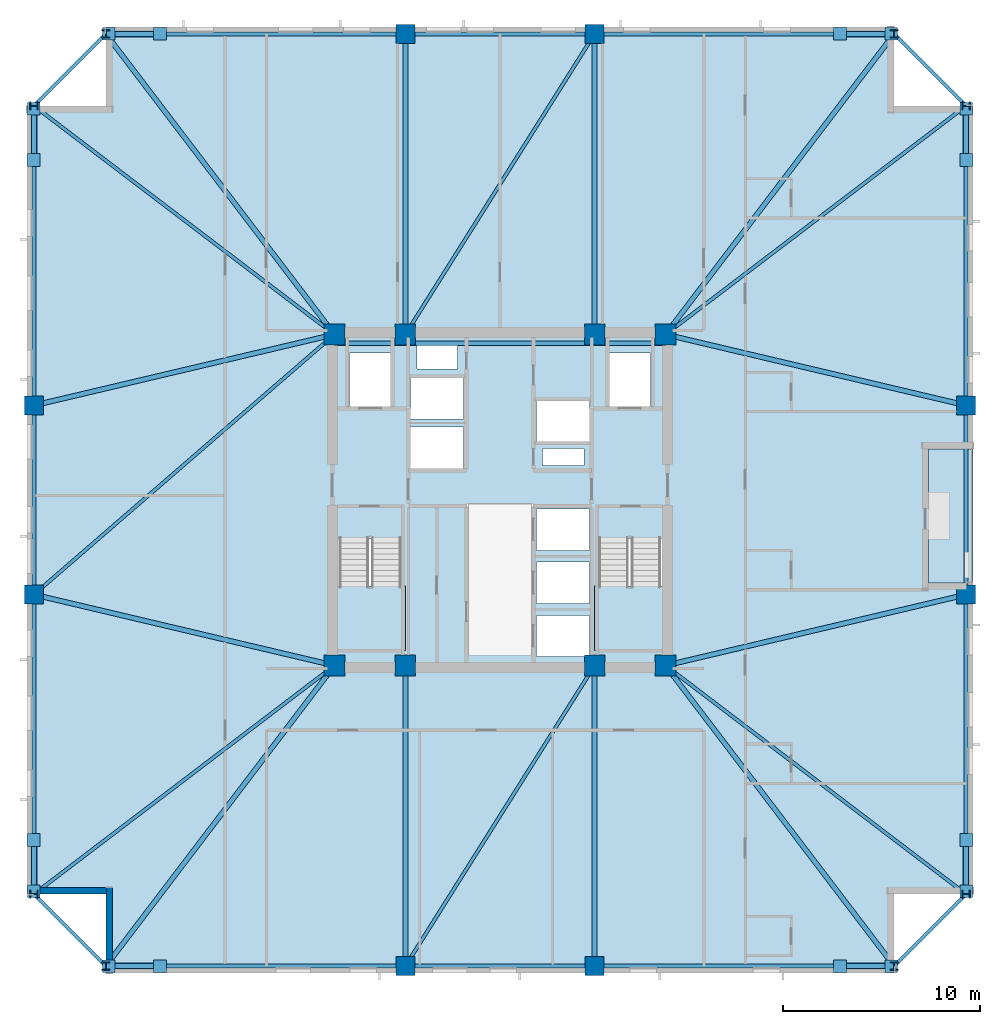
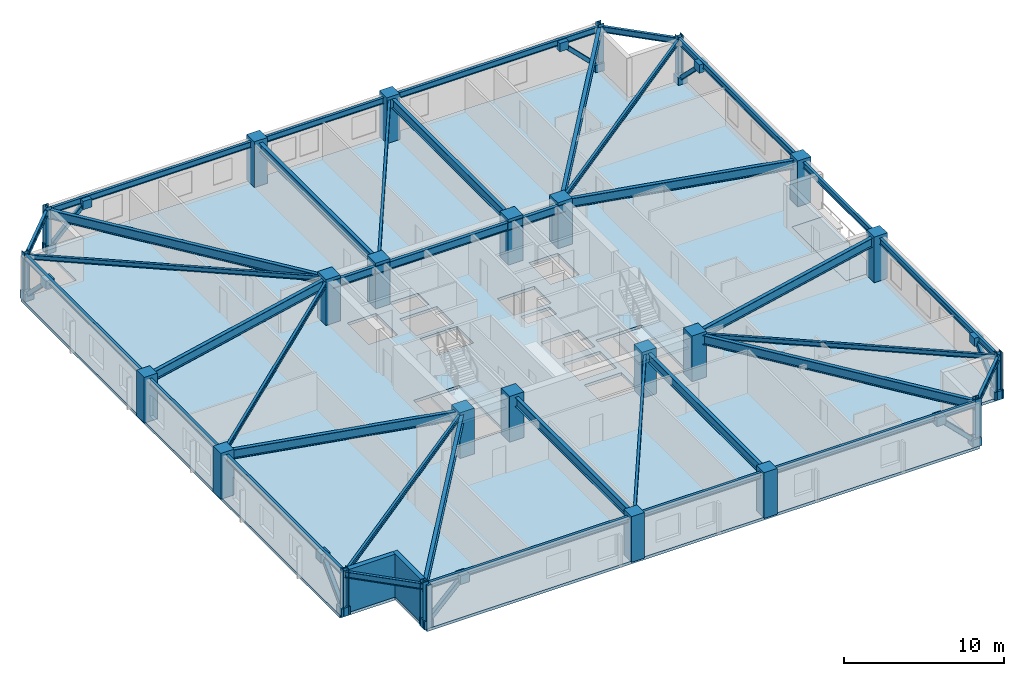
# One storey, part 1 of 10: 38 beams, 24 columns, 16 plates, 8 members, 4 slabs, 2 walls, 2 elements without a shape of their own.
"""IFC4 building model written with IfcOpenShell, lengths in metres."""

import ifcopenshell
import ifcopenshell.guid

model = None  # the IFC model being written
_history = None  # IfcOwnerHistory: only IFC2X3 demands one
_inside = {}  # id of a spatial element -> (the spatial element, [elements in it])
_under = {}  # id of a project, library or spatial element -> (it, [spatial elements below it])
_declared = {}  # id of a project -> (the project, [libraries it declares])
_typed = {}  # id of a type object -> (the type object, [elements of that type])
_made_of = {}  # id of a material, layer set ... -> (it, [elements and type objects made of it])


def new_model(schema):
    """Start an empty IFC model of exactly this schema.

    Asked for "IFC4X3", IfcOpenShell would pick the latest addendum, in which some entities
    have other attributes; the version numbers below select the first issue.
    IFC2X3 requires an IfcOwnerHistory on every rooted entity: one is made here for all.
    """
    global model, _history
    if schema == "IFC4X3":
        model = ifcopenshell.file(schema_version=(4, 3, 0, 0))
    else:
        model = ifcopenshell.file(schema=schema)
    _inside.clear()
    _under.clear()
    _declared.clear()
    _typed.clear()
    _made_of.clear()
    _history = None
    if model.schema == "IFC2X3":
        org = make("IfcOrganization", Name="unknown")
        user = make(
            "IfcPersonAndOrganization",
            ThePerson=make("IfcPerson", FamilyName="unknown"),
            TheOrganization=org,
        )
        app = make(
            "IfcApplication",
            ApplicationDeveloper=org,
            Version="unknown",
            ApplicationFullName="unknown",
            ApplicationIdentifier="unknown",
        )
        _history = make(
            "IfcOwnerHistory",
            OwningUser=user,
            OwningApplication=app,
            ChangeAction="ADDED",
            CreationDate=0,
        )
    return model


def make(cls, **values):
    """One entity of the class cls with the attributes given. An attribute that is None is left unset."""
    return model.create_entity(
        cls, **{name: value for name, value in values.items() if value is not None}
    )


def rooted(cls, **values):
    """An entity with a GlobalId (a new one), such as an element, a storey or a relation."""
    return make(cls, GlobalId=ifcopenshell.guid.new(), OwnerHistory=_history, **values)


def si_unit(unit_type, name, prefix=None):
    """IfcSIUnit, for example si_unit("LENGTHUNIT", "METRE", prefix="MILLI")."""
    return make("IfcSIUnit", UnitType=unit_type, Prefix=prefix, Name=name)


def assignment(units):
    """IfcUnitAssignment: the units of a project."""
    return None if units is None else make("IfcUnitAssignment", Units=units)


def point(xyz):
    """IfcCartesianPoint."""
    return None if xyz is None else make("IfcCartesianPoint", Coordinates=xyz)


def direction(xyz):
    """IfcDirection."""
    return None if xyz is None else make("IfcDirection", DirectionRatios=xyz)


def frame(location, z_axis=None, x_axis=None):
    """IfcAxis2Placement3D, a coordinate frame: its origin and axes. An axis left out is left unset."""
    return make(
        "IfcAxis2Placement3D",
        Location=point(location),
        Axis=direction(z_axis),
        RefDirection=direction(x_axis),
    )


def frame_2d(location, x_axis=None):
    """IfcAxis2Placement2D, a coordinate frame in the plane: its origin and x axis."""
    return make(
        "IfcAxis2Placement2D", Location=point(location), RefDirection=direction(x_axis)
    )


def origin():
    """The frame at (0, 0, 0) with its axes left unset."""
    return frame((0.0, 0.0, 0.0))


def origin_2d():
    """The frame at (0, 0) in the plane with its x axis left unset."""
    return frame_2d((0.0, 0.0))


def place(relative_to, where):
    """IfcLocalPlacement: puts the frame where relative to a parent placement (None: the world)."""
    return make(
        "IfcLocalPlacement", PlacementRelTo=relative_to, RelativePlacement=where
    )


def context(
    kind, dimensions, precision=None, world=None, true_north=None, identifier=None
):
    """IfcGeometricRepresentationContext, for example the 3D "Model" context."""
    return make(
        "IfcGeometricRepresentationContext",
        ContextIdentifier=identifier,
        ContextType=kind,
        CoordinateSpaceDimension=dimensions,
        Precision=precision,
        WorldCoordinateSystem=world,
        TrueNorth=true_north,
    )


def subcontext(parent, identifier, kind, view, scale=None):
    """IfcGeometricRepresentationSubContext, for example "Body" below "Model"."""
    return make(
        "IfcGeometricRepresentationSubContext",
        ContextIdentifier=identifier,
        ContextType=kind,
        ParentContext=parent,
        TargetScale=scale,
        TargetView=view,
    )


def project(units=None, contexts=None):
    """IfcProject with its units and contexts."""
    return rooted(
        "IfcProject",
        Name="project",
        RepresentationContexts=contexts,
        UnitsInContext=assignment(units),
    )


def spatial(cls, under=None, at=None, **own):
    """A site, building, storey or space (cls), placed at a placement, below another one or the project."""
    s = rooted(cls, ObjectPlacement=at, **own)
    if under is not None:
        _under.setdefault(under.id(), (under, []))[1].append(s)
    return s


def polyline(points):
    """IfcPolyline through the points."""
    return make("IfcPolyline", Points=[point(p) for p in points])


def profile(cls, at=None, kind="AREA", **sizes):
    """A parametric profile (cls). Its sizes go by their IFC names, for example OverallWidth=200.0."""
    return make(cls, ProfileType=kind, Position=at, **sizes)


def rectangle(**sizes):
    """IfcRectangleProfileDef."""
    return profile("IfcRectangleProfileDef", **sizes)


def hollow_rectangle(**sizes):
    """IfcRectangleHollowProfileDef."""
    return profile("IfcRectangleHollowProfileDef", **sizes)


def i_section(**sizes):
    """IfcIShapeProfileDef."""
    return profile("IfcIShapeProfileDef", **sizes)


def outline(outer, holes=None, kind="AREA"):
    """IfcArbitraryClosedProfileDef: a profile drawn as a closed curve; with holes, ...WithVoids."""
    if holes is None:
        return make("IfcArbitraryClosedProfileDef", ProfileType=kind, OuterCurve=outer)
    return make(
        "IfcArbitraryProfileDefWithVoids",
        ProfileType=kind,
        OuterCurve=outer,
        InnerCurves=holes,
    )


def extrude(swept, where, along, depth):
    """IfcExtrudedAreaSolid: the profile swept, set in the frame where, extruded along a direction by depth."""
    return make(
        "IfcExtrudedAreaSolid",
        SweptArea=swept,
        Position=where,
        ExtrudedDirection=direction(along),
        Depth=depth,
    )


def shape(context_of_items, identifier, shape_type, items):
    """IfcShapeRepresentation: the items that make up one representation, for example the "Body"."""
    return make(
        "IfcShapeRepresentation",
        ContextOfItems=context_of_items,
        RepresentationIdentifier=identifier,
        RepresentationType=shape_type,
        Items=items,
    )


def material(Name=None, Category=None):
    """IfcMaterial."""
    return make("IfcMaterial", Name=Name, Category=Category)


def layer(
    of_material, thickness, ventilated=None, Name=None, Category=None, Priority=None
):
    """IfcMaterialLayer: one layer of a wall or slab, of a material (None: an air gap)."""
    return make(
        "IfcMaterialLayer",
        Material=of_material,
        LayerThickness=thickness,
        IsVentilated=ventilated,
        Name=Name,
        Category=Category,
        Priority=Priority,
    )


def layer_set(layers, Name=None):
    """IfcMaterialLayerSet."""
    return make("IfcMaterialLayerSet", MaterialLayers=layers, LayerSetName=Name)


def material_profile(
    of_material, cross_section, Name=None, Category=None, Priority=None
):
    """IfcMaterialProfile: a cross section and its material."""
    return make(
        "IfcMaterialProfile",
        Name=Name,
        Material=of_material,
        Profile=cross_section,
        Priority=Priority,
        Category=Category,
    )


def profile_set(profiles, Name=None, composite=None):
    """IfcMaterialProfileSet."""
    return make(
        "IfcMaterialProfileSet",
        Name=Name,
        MaterialProfiles=profiles,
        CompositeProfile=composite,
    )


def made_of(thing, what):
    """Note that an element or type object is made of a material, layer set ...; save() writes the relation."""
    if what is not None:
        _made_of.setdefault(what.id(), (what, []))[1].append(thing)
    return thing


def type_object(cls, material=None, **own):
    """A type object (cls), such as IfcWallType, which elements share."""
    return made_of(rooted(cls, **own), material)


def element(
    cls,
    number,
    at=None,
    inside=None,
    cuts=None,
    type_object=None,
    material=None,
    context=None,
    identifier="Body",
    shape_type=None,
    held_by="IfcProductDefinitionShape",
    body=None,
    shapes=None,
    **own,
):
    """One element of the class cls, such as IfcWall. Its Tag is "e" and its number.

    at: its placement. inside: the storey or other place that contains it. cuts: it is an
    opening in that element (IfcRelVoidsElement). A single representation is given by context,
    identifier, shape_type and body (its items); several are given by shapes. held_by: the class
    of the entity that holds the representations. save() writes the other relations.
    """
    e = rooted(cls, Tag="e%d" % number, ObjectPlacement=at, **own)
    if body is not None:
        shapes = [shape(context, identifier, shape_type, body)]
    if shapes is not None:
        e.Representation = make(held_by, Representations=shapes)
    if inside is not None:
        _inside.setdefault(inside.id(), (inside, []))[1].append(e)
    if cuts is not None:
        rooted(
            "IfcRelVoidsElement", RelatingBuildingElement=cuts, RelatedOpeningElement=e
        )
    if type_object is not None:
        _typed.setdefault(type_object.id(), (type_object, []))[1].append(e)
    return made_of(e, material)


def aggregate(whole, parts):
    """IfcRelAggregates: a whole, such as a stair, and the parts it consists of."""
    return rooted("IfcRelAggregates", RelatingObject=whole, RelatedObjects=parts)


def save(model, path):
    """Write the relations noted so far, then the file.

    IfcRelAggregates (storeys below a building ...), IfcRelContainedInSpatialStructure (elements
    in a storey), IfcRelDefinesByType, IfcRelAssociatesMaterial and IfcRelDeclares: one each for
    every whole, place, type object, material and project.
    """
    for whole, parts in _under.values():
        aggregate(whole, parts)
    for where, things in _inside.values():
        rooted(
            "IfcRelContainedInSpatialStructure",
            RelatedElements=things,
            RelatingStructure=where,
        )
    for kind, things in _typed.values():
        rooted("IfcRelDefinesByType", RelatedObjects=things, RelatingType=kind)
    for what, things in _made_of.values():
        rooted("IfcRelAssociatesMaterial", RelatedObjects=things, RelatingMaterial=what)
    for by, libraries in _declared.values():
        rooted("IfcRelDeclares", RelatingContext=by, RelatedDefinitions=libraries)
    model.write(path)


model = new_model("IFC4")

# Units and contexts
model_context = context("Model", 3, precision=1e-05, world=origin(), true_north=direction((0.0, 1.0)))
body_context = subcontext(model_context, "Body", "Model", "MODEL_VIEW")
ifc_project = project(units=[si_unit("LENGTHUNIT", "METRE"), si_unit("AREAUNIT", "SQUARE_METRE"), si_unit("VOLUMEUNIT", "CUBIC_METRE"), si_unit("PLANEANGLEUNIT", "RADIAN"), si_unit("MASSUNIT", "GRAM", prefix="KILO")], contexts=[model_context])

# Site, building, storey
site_placement = place(None, origin())
site = spatial("IfcSite", under=ifc_project, at=site_placement, CompositionType="ELEMENT")
building_placement = place(site_placement, origin())
building = spatial("IfcBuilding", under=site, at=building_placement, Name="Cairnveth Concourse Tower", CompositionType="ELEMENT")
storey_placement = place(building_placement, frame((0.0, 0.0, 183.0)))
storey = spatial("IfcBuildingStorey", under=building, at=storey_placement, Name="L50", CompositionType="ELEMENT", Elevation=183.0)

# Columns
ifc_material_1 = material(Name="Concrete N65 (65 MPa)", Category="concrete")
ifc_material_profile_1 = material_profile(ifc_material_1, rectangle(XDim=1.050048828125, YDim=1.050048828125, at=origin_2d()), Name="RC-COL-1050x1050")
ifc_profile_set_1 = profile_set([ifc_material_profile_1], Name="Concrete N65 (65 MPa)")
column_type_1 = type_object("IfcColumnType", Name="CORE COLUMN 1050X1050", PredefinedType="COLUMN", material=ifc_profile_set_1)
for number, where, z_axis, x_axis, name in (
    (1, (43.60009765625, 30.60009765625, 0.0), (0.0, 0.0, 1.0), (1.0, 0.0, 0.0), "Column CC1 L50"),
    (2, (47.199951171875, 30.60009765625, 0.0), (0.0, 0.0, 1.0), (1.0, 0.0, 0.0), "Column CC2 L50"),
    (3, (56.800048828125, 30.60009765625, 0.0), (0.0, 0.0, 1.0), (1.0, 0.0, 0.0), "Column CC3 L50"),
    (4, (60.39990234375, 30.60009765625, 0.0), (0.0, 0.0, 1.0), (1.0, 0.0, 0.0), "Column CC4 L50"),
    (5, (43.60009765625, 47.39990234375, 0.0), (0.0, 0.0, 1.0), (1.0, 0.0, 0.0), "Column CC5 L50"),
    (6, (47.199951171875, 47.39990234375, 0.0), (0.0, 0.0, 1.0), (1.0, 0.0, 0.0), "Column CC6 L50"),
    (7, (56.800048828125, 47.39990234375, 0.0), (0.0, 0.0, 1.0), (1.0, 0.0, 0.0), "Column CC7 L50"),
    (8, (60.39990234375, 47.39990234375, 0.0), (0.0, 0.0, 1.0), (1.0, 0.0, 0.0), "Column CC8 L50"),
):
    element("IfcColumn", number, at=place(storey_placement, frame(where, z_axis=z_axis, x_axis=x_axis)), inside=storey, type_object=column_type_1, Name=name, PredefinedType="COLUMN", context=body_context, shape_type="SweptSolid", body=[
        extrude(rectangle(XDim=1.050048828125, YDim=1.050048828125, at=origin_2d()), origin(), (0.0, 0.0, 1.0), 3.5),
    ])
ifc_material_profile_2 = material_profile(ifc_material_1, rectangle(XDim=0.949951171875, YDim=0.949951171875, at=origin_2d()), Name="RC-COL-950x950")
ifc_profile_set_2 = profile_set([ifc_material_profile_2], Name="Concrete N65 (65 MPa)")
column_type_2 = type_object("IfcColumnType", Name="PERIMETER PIER COLUMN 950X950", PredefinedType="COLUMN", material=ifc_profile_set_2)
for number, where, z_axis, x_axis, name in (
    (9, (47.199951171875, 15.35009765625, 0.0), (0.0, 0.0, 1.0), (1.0, 0.0, 0.0), "Column P-S2 L50"),
    (10, (56.800048828125, 15.35009765625, 0.0), (0.0, 0.0, 1.0), (1.0, 0.0, 0.0), "Column P-S3 L50"),
    (11, (75.64990234375, 34.199951171875, 0.0), (0.0, 0.0, 1.0), (0.0, 1.0, 0.0), "Column P-E2 L50"),
    (12, (75.64990234375, 43.800048828125, 0.0), (0.0, 0.0, 1.0), (0.0, 1.0, 0.0), "Column P-E3 L50"),
    (13, (56.800048828125, 62.64990234375, 0.0), (0.0, 0.0, 1.0), (1.0, 0.0, 0.0), "Column P-N2 L50"),
    (14, (47.199951171875, 62.64990234375, 0.0), (0.0, 0.0, 1.0), (1.0, 0.0, 0.0), "Column P-N3 L50"),
    (15, (28.35009765625, 43.800048828125, 0.0), (0.0, 0.0, 1.0), (0.0, 1.0, 0.0), "Column P-W2 L50"),
    (16, (28.35009765625, 34.199951171875, 0.0), (0.0, 0.0, 1.0), (0.0, 1.0, 0.0), "Column P-W3 L50"),
):
    element("IfcColumn", number, at=place(storey_placement, frame(where, z_axis=z_axis, x_axis=x_axis)), inside=storey, type_object=column_type_2, Name=name, PredefinedType="COLUMN", context=body_context, shape_type="SweptSolid", body=[
        extrude(rectangle(XDim=0.949951171875, YDim=0.949951171875, at=origin_2d()), origin(), (0.0, 0.0, 1.0), 3.5),
    ])
ifc_material_2 = material(Name="Steel Grade 350", Category="steel")
ifc_material_profile_3 = material_profile(ifc_material_2, i_section(OverallWidth=0.39990234375, OverallDepth=0.39990234375, WebThickness=0.02197265625, FlangeThickness=0.035888671875, at=origin_2d()), Name="400WC270")
ifc_profile_set_3 = profile_set([ifc_material_profile_3], Name="Steel Grade 350")
column_type_3 = type_object("IfcColumnType", Name="WELDED STEEL COLUMN 400WC270", PredefinedType="COLUMN", material=ifc_profile_set_3)
for number, where, z_axis, x_axis, name in (
    (17, (32.0, 15.35009765625, 0.0), (0.0, 0.0, 1.0), (1.0, 0.0, 0.0), "Column P-S1 L50"),
    (18, (72.0, 15.35009765625, 0.0), (0.0, 0.0, 1.0), (1.0, 0.0, 0.0), "Column P-S4 L50"),
    (19, (75.64990234375, 19.0, 0.0), (0.0, 0.0, 1.0), (0.0, 1.0, 0.0), "Column P-E1 L50"),
    (20, (75.64990234375, 59.0, 0.0), (0.0, 0.0, 1.0), (0.0, 1.0, 0.0), "Column P-E4 L50"),
    (21, (72.0, 62.64990234375, 0.0), (0.0, 0.0, 1.0), (1.0, 0.0, 0.0), "Column P-N1 L50"),
    (22, (32.0, 62.64990234375, 0.0), (0.0, 0.0, 1.0), (1.0, 0.0, 0.0), "Column P-N4 L50"),
    (23, (28.35009765625, 59.0, 0.0), (0.0, 0.0, 1.0), (0.0, 1.0, 0.0), "Column P-W1 L50"),
    (24, (28.35009765625, 19.0, 0.0), (0.0, 0.0, 1.0), (0.0, 1.0, 0.0), "Column P-W4 L50"),
):
    element("IfcColumn", number, at=place(storey_placement, frame(where, z_axis=z_axis, x_axis=x_axis)), inside=storey, type_object=column_type_3, Name=name, PredefinedType="COLUMN", context=body_context, shape_type="SweptSolid", body=[
        extrude(i_section(OverallWidth=0.39990234375, OverallDepth=0.39990234375, WebThickness=0.02197265625, FlangeThickness=0.035888671875, at=origin_2d()), origin(), (0.0, 0.0, 1.0), 3.5),
    ])

# Beams
ifc_material_profile_4 = material_profile(ifc_material_2, i_section(OverallWidth=0.22802734375, OverallDepth=0.60693359375, WebThickness=0.01123046875, FlangeThickness=0.017333984375, FilletRadius=0.013916015625, at=origin_2d()), Name="610UB113")
ifc_profile_set_4 = profile_set([ifc_material_profile_4], Name="Steel Grade 350")
beam_type_1 = type_object("IfcBeamType", Name="CORE TIE BEAM 610UB113", PredefinedType="T_BEAM", material=ifc_profile_set_4)
for number, where, z_axis, x_axis, name in (
    (25, (43.60009765625, 46.949951171875, 2.9765625), (1.0, 0.0, 0.0), (0.0, 1.0, 0.0), "Beam CT-N1 L50"),
    (26, (56.800048828125, 46.949951171875, 2.9765625), (1.0, 0.0, 0.0), (0.0, 1.0, 0.0), "Beam CT-N3 L50"),
):
    element("IfcBeam", number, at=place(storey_placement, frame(where, z_axis=z_axis, x_axis=x_axis)), inside=storey, type_object=beam_type_1, Name=name, PredefinedType="T_BEAM", context=body_context, shape_type="SweptSolid", body=[
        extrude(i_section(OverallWidth=0.22802734375, OverallDepth=0.60693359375, WebThickness=0.01123046875, FlangeThickness=0.017333984375, FilletRadius=0.013916015625, at=origin_2d()), origin(), (0.0, 0.0, 1.0), 3.599853515625),
    ])
beam_1_placement = place(storey_placement, frame((47.199951171875, 46.949951171875, 2.9765625), z_axis=(1.0, 0.0, 0.0), x_axis=(0.0, 1.0, 0.0)))
element("IfcBeam", 27, at=beam_1_placement, inside=storey, type_object=beam_type_1, Name="Beam CT-N2 L50", PredefinedType="T_BEAM", context=body_context, shape_type="SweptSolid", body=[
    extrude(i_section(OverallWidth=0.22802734375, OverallDepth=0.60693359375, WebThickness=0.01123046875, FlangeThickness=0.017333984375, FilletRadius=0.013916015625, at=origin_2d()), origin(), (0.0, 0.0, 1.0), 9.60009765625),
])
ifc_material_profile_5 = material_profile(ifc_material_2, i_section(OverallWidth=0.172119140625, OverallDepth=0.35888671875, WebThickness=0.008056640625, FlangeThickness=0.012939453125, FilletRadius=0.010986328125, at=origin_2d()), Name="360UB56.7")
ifc_profile_set_5 = profile_set([ifc_material_profile_5], Name="Steel Grade 350")
beam_type_2 = type_object("IfcBeamType", Name="ZONE 2 FLOOR JOIST 360UB56.7", PredefinedType="JOIST", material=ifc_profile_set_5)
for number, where, z_axis, x_axis, name in (
    (28, (28.35009765625, 19.0, 3.1005859375), (0.795908242904, 0.6054172684, 0.0), (-0.6054172684, 0.795908242904, 0.0), "Beam FJ-CSW2 L50"),
    (29, (75.64990234375, 19.0, 3.1005859375), (-0.795908242904, 0.6054172684, 0.0), (-0.6054172684, -0.795908242904, 0.0), "Beam FJ-CSE2 L50"),
    (30, (75.64990234375, 59.0, 3.1005859375), (-0.795908242904, -0.6054172684, 0.0), (0.6054172684, -0.795908242904, 0.0), "Beam FJ-CNE2 L50"),
    (31, (28.35009765625, 59.0, 3.1005859375), (0.795908242904, -0.6054172684, 0.0), (0.6054172684, 0.795908242904, 0.0), "Beam FJ-CNW2 L50"),
):
    element("IfcBeam", number, at=place(storey_placement, frame(where, z_axis=z_axis, x_axis=x_axis)), inside=storey, type_object=beam_type_2, Name=name, PredefinedType="JOIST", context=body_context, shape_type="SweptSolid", body=[
        extrude(i_section(OverallWidth=0.172119140625, OverallDepth=0.35888671875, WebThickness=0.008056640625, FlangeThickness=0.012939453125, FilletRadius=0.010986328125, at=origin_2d()), origin(), (0.0, 0.0, 1.0), 19.160400390625),
    ])
for number, where, z_axis, x_axis, name in (
    (32, (47.199951171875, 15.35009765625, 3.1005859375), (0.532743557037, 0.84627672923, 0.0), (-0.84627672923, 0.532743557037, 0.0), "Beam FJ-S-M1 L50"),
    (33, (47.199951171875, 47.39990234375, 3.1005859375), (0.532743557037, 0.84627672923, 0.0), (-0.84627672923, 0.532743557037, 0.0), "Beam FJ-N-M1 L50"),
):
    element("IfcBeam", number, at=place(storey_placement, frame(where, z_axis=z_axis, x_axis=x_axis)), inside=storey, type_object=beam_type_2, Name=name, PredefinedType="JOIST", context=body_context, shape_type="SweptSolid", body=[
        extrude(i_section(OverallWidth=0.172119140625, OverallDepth=0.35888671875, WebThickness=0.008056640625, FlangeThickness=0.012939453125, FilletRadius=0.010986328125, at=origin_2d()), origin(), (0.0, 0.0, 1.0), 18.02001953125),
    ])
beam_2_placement = place(storey_placement, frame((28.35009765625, 34.199951171875, 3.1005859375), z_axis=(0.756099107057, 0.654457134049, 0.0), x_axis=(-0.654457134049, 0.756099107057, 0.0)))
element("IfcBeam", 34, at=beam_2_placement, inside=storey, type_object=beam_type_2, Name="Beam FJ-W-M1 L50", PredefinedType="JOIST", context=body_context, shape_type="SweptSolid", body=[
    extrude(i_section(OverallWidth=0.172119140625, OverallDepth=0.35888671875, WebThickness=0.008056640625, FlangeThickness=0.012939453125, FilletRadius=0.010986328125, at=origin_2d()), origin(), (0.0, 0.0, 1.0), 20.16943359375),
])

# Members
ifc_material_3 = material(Name="Steel C350L0 (350 MPa)", Category="steel")
ifc_material_profile_6 = material_profile(ifc_material_3, hollow_rectangle(XDim=0.300048828125, YDim=0.300048828125, WallThickness=0.01611328125, InnerFilletRadius=0.01611328125, OuterFilletRadius=0.031982421875, at=origin_2d()), Name="300x300x16.0SHS")
ifc_profile_set_6 = profile_set([ifc_material_profile_6], Name="Steel C350L0 (350 MPa)")
member_type = type_object("IfcMemberType", Name="ZONE 2 PIER BRACE 300X300X16SHS", PredefinedType="BRACE", material=ifc_profile_set_6)
for number, where, z_axis, x_axis, name in (
    (35, (32.14990234375, 15.35009765625, 0.25), (0.709834195787, 0.0, 0.704368805735), (0.0, 1.0, 0.0), "Structural Brace PB-S1 L50"),
    (36, (71.85009765625, 15.35009765625, 0.25), (-0.709834195787, 0.0, 0.704368805735), (0.0, -1.0, 0.0), "Structural Brace PB-S2 L50"),
    (37, (32.14990234375, 62.64990234375, 0.25), (0.709834195787, 0.0, 0.704368805735), (0.0, 1.0, 0.0), "Structural Brace PB-N1 L50"),
    (38, (71.85009765625, 62.64990234375, 0.25), (-0.709834195787, 0.0, 0.704368805735), (0.0, -1.0, 0.0), "Structural Brace PB-N2 L50"),
    (39, (28.35009765625, 19.14990234375, 0.25), (0.0, 0.709834195787, 0.704368805735), (-1.0, 0.0, 0.0), "Structural Brace PB-W1 L50"),
    (40, (28.35009765625, 58.85009765625, 0.25), (0.0, -0.709834195787, 0.704368805735), (1.0, 0.0, 0.0), "Structural Brace PB-W2 L50"),
    (41, (75.64990234375, 19.14990234375, 0.25), (0.0, 0.709834195787, 0.704368805735), (-1.0, 0.0, 0.0), "Structural Brace PB-E1 L50"),
    (42, (75.64990234375, 58.85009765625, 0.25), (0.0, -0.709834195787, 0.704368805735), (1.0, 0.0, 0.0), "Structural Brace PB-E2 L50"),
):
    element("IfcMember", number, at=place(storey_placement, frame(where, z_axis=z_axis, x_axis=x_axis)), inside=storey, type_object=member_type, Name=name, PredefinedType="BRACE", context=body_context, shape_type="SweptSolid", body=[
        extrude(hollow_rectangle(XDim=0.300048828125, YDim=0.300048828125, WallThickness=0.01611328125, InnerFilletRadius=0.01611328125, OuterFilletRadius=0.031982421875, at=origin_2d()), origin(), (0.0, 0.0, 1.0), 3.6630859375),
    ])

# Beams
ifc_material_profile_7 = material_profile(ifc_material_2, i_section(OverallWidth=0.25, OverallDepth=0.699951171875, WebThickness=0.011962890625, FlangeThickness=0.028076171875, at=origin_2d()), Name="700WB173")
ifc_profile_set_7 = profile_set([ifc_material_profile_7], Name="Steel Grade 350")
beam_type_3 = type_object("IfcBeamType", Name="ZONE 2 RADIAL GIRDER 700WB173", PredefinedType="BEAM", material=ifc_profile_set_7)
for number, where, z_axis, x_axis, name in (
    (43, (47.199951171875, 15.35009765625, 2.929931640625), (0.0, 1.0, 0.0), (-1.0, 0.0, 0.0), "Beam RG-S1 L50"),
    (44, (56.800048828125, 15.35009765625, 2.929931640625), (0.0, 1.0, 0.0), (-1.0, 0.0, 0.0), "Beam RG-S2 L50"),
    (45, (47.199951171875, 47.39990234375, 2.929931640625), (0.0, 1.0, 0.0), (-1.0, 0.0, 0.0), "Beam RG-N1 L50"),
    (46, (56.800048828125, 47.39990234375, 2.929931640625), (0.0, 1.0, 0.0), (-1.0, 0.0, 0.0), "Beam RG-N2 L50"),
):
    element("IfcBeam", number, at=place(storey_placement, frame(where, z_axis=z_axis, x_axis=x_axis)), inside=storey, type_object=beam_type_3, Name=name, PredefinedType="BEAM", context=body_context, shape_type="SweptSolid", body=[
        extrude(i_section(OverallWidth=0.25, OverallDepth=0.699951171875, WebThickness=0.011962890625, FlangeThickness=0.028076171875, at=origin_2d()), origin(), (0.0, 0.0, 1.0), 15.25),
    ])
for number, where, z_axis, x_axis, name in (
    (47, (28.35009765625, 34.199951171875, 2.929931640625), (0.973251602929, -0.229741849468, 0.0), (0.229741849468, 0.973251602929, 0.0), "Beam RG-W1 L50"),
    (48, (28.35009765625, 43.800048828125, 2.929931640625), (0.973251602929, 0.229741849468, 0.0), (-0.229741849468, 0.973251602929, 0.0), "Beam RG-W2 L50"),
    (49, (60.39990234375, 30.60009765625, 2.929931640625), (0.973251602929, 0.229741849468, 0.0), (-0.229741849468, 0.973251602929, 0.0), "Beam RG-E1 L50"),
    (50, (60.39990234375, 47.39990234375, 2.929931640625), (0.973251602929, -0.229741849468, 0.0), (0.229741849468, 0.973251602929, 0.0), "Beam RG-E2 L50"),
):
    element("IfcBeam", number, at=place(storey_placement, frame(where, z_axis=z_axis, x_axis=x_axis)), inside=storey, type_object=beam_type_3, Name=name, PredefinedType="BEAM", context=body_context, shape_type="SweptSolid", body=[
        extrude(i_section(OverallWidth=0.25, OverallDepth=0.699951171875, WebThickness=0.011962890625, FlangeThickness=0.028076171875, at=origin_2d()), origin(), (0.0, 0.0, 1.0), 15.669189453125),
    ])
for number, where, z_axis, x_axis, name in (
    (51, (32.0, 15.35009765625, 2.929931640625), (0.6054172684, 0.795908242904, 0.0), (-0.795908242904, 0.6054172684, 0.0), "Beam RG-CSW L50"),
    (52, (72.0, 15.35009765625, 2.929931640625), (-0.6054172684, 0.795908242904, 0.0), (-0.795908242904, -0.6054172684, 0.0), "Beam RG-CSE L50"),
    (53, (72.0, 62.64990234375, 2.929931640625), (-0.6054172684, -0.795908242904, 0.0), (0.795908242904, -0.6054172684, 0.0), "Beam RG-CNE L50"),
    (54, (32.0, 62.64990234375, 2.929931640625), (0.6054172684, -0.795908242904, 0.0), (0.795908242904, 0.6054172684, 0.0), "Beam RG-CNW L50"),
):
    element("IfcBeam", number, at=place(storey_placement, frame(where, z_axis=z_axis, x_axis=x_axis)), inside=storey, type_object=beam_type_3, Name=name, PredefinedType="BEAM", context=body_context, shape_type="SweptSolid", body=[
        extrude(i_section(OverallWidth=0.25, OverallDepth=0.699951171875, WebThickness=0.011962890625, FlangeThickness=0.028076171875, at=origin_2d()), origin(), (0.0, 0.0, 1.0), 19.160400390625),
    ])
ifc_material_profile_8 = material_profile(ifc_material_2, i_section(OverallWidth=0.18994140625, OverallDepth=0.45703125, WebThickness=0.009033203125, FlangeThickness=0.014404296875, FilletRadius=0.010986328125, at=origin_2d()), Name="460UB74.6")
ifc_profile_set_8 = profile_set([ifc_material_profile_8], Name="Steel Grade 350")
beam_type_4 = type_object("IfcBeamType", Name="ZONE 2 SPANDREL BEAM 460UB74.6", PredefinedType="SPANDREL", material=ifc_profile_set_8)
beam_3_placement = place(storey_placement, frame((32.0, 15.35009765625, 3.051513671875), z_axis=(1.0, 0.0, 0.0), x_axis=(0.0, 1.0, 0.0)))
element("IfcBeam", 55, at=beam_3_placement, inside=storey, type_object=beam_type_4, Name="Beam SP-S1 L50", PredefinedType="SPANDREL", context=body_context, shape_type="SweptSolid", body=[
    extrude(i_section(OverallWidth=0.18994140625, OverallDepth=0.45703125, WebThickness=0.009033203125, FlangeThickness=0.014404296875, FilletRadius=0.010986328125, at=origin_2d()), origin(), (0.0, 0.0, 1.0), 15.199951171875),
])
beam_4_placement = place(storey_placement, frame((47.199951171875, 15.35009765625, 3.051513671875), z_axis=(1.0, 0.0, 0.0), x_axis=(0.0, 1.0, 0.0)))
element("IfcBeam", 56, at=beam_4_placement, inside=storey, type_object=beam_type_4, Name="Beam SP-S2 L50", PredefinedType="SPANDREL", context=body_context, shape_type="SweptSolid", body=[
    extrude(i_section(OverallWidth=0.18994140625, OverallDepth=0.45703125, WebThickness=0.009033203125, FlangeThickness=0.014404296875, FilletRadius=0.010986328125, at=origin_2d()), origin(), (0.0, 0.0, 1.0), 9.60009765625),
])
for number, where, z_axis, x_axis, name in (
    (57, (56.800048828125, 15.35009765625, 3.051513671875), (1.0, 0.0, 0.0), (0.0, 1.0, 0.0), "Beam SP-S3 L50"),
    (58, (32.0, 62.64990234375, 3.051513671875), (1.0, 0.0, 0.0), (0.0, 1.0, 0.0), "Beam SP-N1 L50"),
):
    element("IfcBeam", number, at=place(storey_placement, frame(where, z_axis=z_axis, x_axis=x_axis)), inside=storey, type_object=beam_type_4, Name=name, PredefinedType="SPANDREL", context=body_context, shape_type="SweptSolid", body=[
        extrude(i_section(OverallWidth=0.18994140625, OverallDepth=0.45703125, WebThickness=0.009033203125, FlangeThickness=0.014404296875, FilletRadius=0.010986328125, at=origin_2d()), origin(), (0.0, 0.0, 1.0), 15.199951171875),
    ])
beam_5_placement = place(storey_placement, frame((47.199951171875, 62.64990234375, 3.051513671875), z_axis=(1.0, 0.0, 0.0), x_axis=(0.0, 1.0, 0.0)))
element("IfcBeam", 59, at=beam_5_placement, inside=storey, type_object=beam_type_4, Name="Beam SP-N2 L50", PredefinedType="SPANDREL", context=body_context, shape_type="SweptSolid", body=[
    extrude(i_section(OverallWidth=0.18994140625, OverallDepth=0.45703125, WebThickness=0.009033203125, FlangeThickness=0.014404296875, FilletRadius=0.010986328125, at=origin_2d()), origin(), (0.0, 0.0, 1.0), 9.60009765625),
])
for number, where, z_axis, x_axis, name in (
    (60, (56.800048828125, 62.64990234375, 3.051513671875), (1.0, 0.0, 0.0), (0.0, 1.0, 0.0), "Beam SP-N3 L50"),
    (61, (28.35009765625, 19.0, 3.051513671875), (0.0, 1.0, 0.0), (-1.0, 0.0, 0.0), "Beam SP-W1 L50"),
):
    element("IfcBeam", number, at=place(storey_placement, frame(where, z_axis=z_axis, x_axis=x_axis)), inside=storey, type_object=beam_type_4, Name=name, PredefinedType="SPANDREL", context=body_context, shape_type="SweptSolid", body=[
        extrude(i_section(OverallWidth=0.18994140625, OverallDepth=0.45703125, WebThickness=0.009033203125, FlangeThickness=0.014404296875, FilletRadius=0.010986328125, at=origin_2d()), origin(), (0.0, 0.0, 1.0), 15.199951171875),
    ])
beam_6_placement = place(storey_placement, frame((28.35009765625, 34.199951171875, 3.051513671875), z_axis=(0.0, 1.0, 0.0), x_axis=(-1.0, 0.0, 0.0)))
element("IfcBeam", 62, at=beam_6_placement, inside=storey, type_object=beam_type_4, Name="Beam SP-W2 L50", PredefinedType="SPANDREL", context=body_context, shape_type="SweptSolid", body=[
    extrude(i_section(OverallWidth=0.18994140625, OverallDepth=0.45703125, WebThickness=0.009033203125, FlangeThickness=0.014404296875, FilletRadius=0.010986328125, at=origin_2d()), origin(), (0.0, 0.0, 1.0), 9.60009765625),
])
for number, where, z_axis, x_axis, name in (
    (63, (28.35009765625, 43.800048828125, 3.051513671875), (0.0, 1.0, 0.0), (-1.0, 0.0, 0.0), "Beam SP-W3 L50"),
    (64, (75.64990234375, 19.0, 3.051513671875), (0.0, 1.0, 0.0), (-1.0, 0.0, 0.0), "Beam SP-E1 L50"),
):
    element("IfcBeam", number, at=place(storey_placement, frame(where, z_axis=z_axis, x_axis=x_axis)), inside=storey, type_object=beam_type_4, Name=name, PredefinedType="SPANDREL", context=body_context, shape_type="SweptSolid", body=[
        extrude(i_section(OverallWidth=0.18994140625, OverallDepth=0.45703125, WebThickness=0.009033203125, FlangeThickness=0.014404296875, FilletRadius=0.010986328125, at=origin_2d()), origin(), (0.0, 0.0, 1.0), 15.199951171875),
    ])
beam_7_placement = place(storey_placement, frame((75.64990234375, 34.199951171875, 3.051513671875), z_axis=(0.0, 1.0, 0.0), x_axis=(-1.0, 0.0, 0.0)))
element("IfcBeam", 65, at=beam_7_placement, inside=storey, type_object=beam_type_4, Name="Beam SP-E2 L50", PredefinedType="SPANDREL", context=body_context, shape_type="SweptSolid", body=[
    extrude(i_section(OverallWidth=0.18994140625, OverallDepth=0.45703125, WebThickness=0.009033203125, FlangeThickness=0.014404296875, FilletRadius=0.010986328125, at=origin_2d()), origin(), (0.0, 0.0, 1.0), 9.60009765625),
])
beam_8_placement = place(storey_placement, frame((75.64990234375, 43.800048828125, 3.051513671875), z_axis=(0.0, 1.0, 0.0), x_axis=(-1.0, 0.0, 0.0)))
element("IfcBeam", 66, at=beam_8_placement, inside=storey, type_object=beam_type_4, Name="Beam SP-E3 L50", PredefinedType="SPANDREL", context=body_context, shape_type="SweptSolid", body=[
    extrude(i_section(OverallWidth=0.18994140625, OverallDepth=0.45703125, WebThickness=0.009033203125, FlangeThickness=0.014404296875, FilletRadius=0.010986328125, at=origin_2d()), origin(), (0.0, 0.0, 1.0), 15.199951171875),
])
for number, where, z_axis, x_axis, name in (
    (67, (28.35009765625, 19.0, 3.051513671875), (0.707106781187, -0.707106781187, 0.0), (0.707106781187, 0.707106781187, 0.0), "Beam SP-SW L50"),
    (68, (72.0, 15.35009765625, 3.051513671875), (0.707106781187, 0.707106781187, 0.0), (-0.707106781187, 0.707106781187, 0.0), "Beam SP-SE L50"),
    (69, (72.0, 62.64990234375, 3.051513671875), (0.707106781187, -0.707106781187, 0.0), (0.707106781187, 0.707106781187, 0.0), "Beam SP-NE L50"),
    (70, (28.35009765625, 59.0, 3.051513671875), (0.707106781187, 0.707106781187, 0.0), (-0.707106781187, 0.707106781187, 0.0), "Beam SP-NW L50"),
):
    element("IfcBeam", number, at=place(storey_placement, frame(where, z_axis=z_axis, x_axis=x_axis)), inside=storey, type_object=beam_type_4, Name=name, PredefinedType="SPANDREL", context=body_context, shape_type="SweptSolid", body=[
        extrude(i_section(OverallWidth=0.18994140625, OverallDepth=0.45703125, WebThickness=0.009033203125, FlangeThickness=0.014404296875, FilletRadius=0.010986328125, at=origin_2d()), origin(), (0.0, 0.0, 1.0), 5.16162109375),
    ])

# Slab
ifc_material_4 = material(Name="Concrete N50 (50 MPa)", Category="concrete")
ifc_layer_1 = layer(ifc_material_4, 0.219970703125)
ifc_layer_set_1 = layer_set([ifc_layer_1], Name="Concrete N50 (50 MPa)")
slab_type_1 = type_object("IfcSlabType", Name="LOWER TOWER COMPOSITE SLAB 220", PredefinedType="FLOOR", material=ifc_layer_set_1)
slab_1_placement = place(storey_placement, frame((0.0, 0.0, -0.219970703125)))
element("IfcSlab", 71, at=slab_1_placement, inside=storey, type_object=slab_type_1, Name="Tower Floor Slab L50", PredefinedType="FLOOR", context=body_context, shape_type="SweptSolid", body=[
    extrude(outline(polyline([(76.0, 34.800048828125), (73.75, 34.800048828125), (73.75, 41.60009765625), (76.0, 41.60009765625), (76.0, 59.0), (72.0, 59.0), (72.0, 63.0), (32.0, 63.0), (32.0, 59.0), (28.0, 59.0), (28.0, 19.0), (32.0, 19.0), (32.0, 15.0), (72.0, 15.0), (72.0, 19.0), (76.0, 19.0), (76.0, 34.800048828125)]), holes=[polyline([(43.760009765625, 31.360107421875), (47.06005859375, 31.360107421875), (47.06005859375, 37.0400390625), (43.760009765625, 37.0400390625), (43.760009765625, 31.360107421875)]), polyline([(56.93994140625, 31.360107421875), (60.239990234375, 31.360107421875), (60.239990234375, 37.0400390625), (56.93994140625, 37.0400390625), (56.93994140625, 31.360107421875)]), polyline([(44.3701171875, 43.75), (46.469970703125, 43.75), (46.469970703125, 46.449951171875), (44.3701171875, 46.449951171875), (44.3701171875, 43.75)]), polyline([(57.530029296875, 43.75), (59.6298828125, 43.75), (59.6298828125, 46.449951171875), (57.530029296875, 46.449951171875), (57.530029296875, 43.75)]), polyline([(53.85009765625, 31.050048828125), (56.550048828125, 31.050048828125), (56.550048828125, 33.14990234375), (53.85009765625, 33.14990234375), (53.85009765625, 31.050048828125)]), polyline([(53.85009765625, 33.75), (56.550048828125, 33.75), (56.550048828125, 35.85009765625), (53.85009765625, 35.85009765625), (53.85009765625, 33.75)]), polyline([(53.85009765625, 36.449951171875), (56.550048828125, 36.449951171875), (56.550048828125, 38.550048828125), (53.85009765625, 38.550048828125), (53.85009765625, 36.449951171875)]), polyline([(47.449951171875, 40.60009765625), (50.14990234375, 40.60009765625), (50.14990234375, 42.699951171875), (47.449951171875, 42.699951171875), (47.449951171875, 40.60009765625)]), polyline([(47.449951171875, 43.10009765625), (50.14990234375, 43.10009765625), (50.14990234375, 45.199951171875), (47.449951171875, 45.199951171875), (47.449951171875, 43.10009765625)]), polyline([(53.85009765625, 41.949951171875), (56.550048828125, 41.949951171875), (56.550048828125, 44.050048828125), (53.85009765625, 44.050048828125), (53.85009765625, 41.949951171875)]), polyline([(47.800048828125, 45.64990234375), (49.85009765625, 45.64990234375), (49.85009765625, 47.050048828125), (47.800048828125, 47.050048828125), (47.800048828125, 45.64990234375)]), polyline([(54.14990234375, 40.75), (56.25, 40.75), (56.25, 41.6201171875), (54.14990234375, 41.6201171875), (54.14990234375, 40.75)])]), origin(), (0.0, 0.0, 1.0), 0.219970703125),
])

# Plates
ifc_layer_2 = layer(ifc_material_2, 0.031982421875)
ifc_layer_set_2 = layer_set([ifc_layer_2], Name="Steel Grade 350")
plate_type = type_object("IfcPlateType", Name="PERIMETER BRACE GUSSET PLATE 32", PredefinedType="USERDEFINED", material=ifc_layer_set_2)
for number, where, z_axis, x_axis, name in (
    (72, (32.14990234375, 15.35009765625, -0.06982421875), (0.0, 0.0, 1.0), (1.0, 0.0, 0.0), "Structural Node Plate 0833 L50"),
    (73, (34.75, 15.35009765625, 2.51025390625), (0.0, 0.0, 1.0), (1.0, 0.0, 0.0), "Structural Node Plate 0834 L50"),
    (74, (71.85009765625, 15.35009765625, -0.06982421875), (0.0, 0.0, 1.0), (1.0, 0.0, 0.0), "Structural Node Plate 0835 L50"),
    (75, (69.25, 15.35009765625, 2.51025390625), (0.0, 0.0, 1.0), (1.0, 0.0, 0.0), "Structural Node Plate 0836 L50"),
    (76, (32.14990234375, 62.64990234375, -0.06982421875), (0.0, 0.0, 1.0), (1.0, 0.0, 0.0), "Structural Node Plate 0837 L50"),
    (77, (34.75, 62.64990234375, 2.51025390625), (0.0, 0.0, 1.0), (1.0, 0.0, 0.0), "Structural Node Plate 0838 L50"),
    (78, (71.85009765625, 62.64990234375, -0.06982421875), (0.0, 0.0, 1.0), (1.0, 0.0, 0.0), "Structural Node Plate 0839 L50"),
    (79, (69.25, 62.64990234375, 2.51025390625), (0.0, 0.0, 1.0), (1.0, 0.0, 0.0), "Structural Node Plate 0840 L50"),
    (80, (28.35009765625, 19.14990234375, -0.06982421875), (0.0, 0.0, 1.0), (1.0, 0.0, 0.0), "Structural Node Plate 0841 L50"),
    (81, (28.35009765625, 21.75, 2.51025390625), (0.0, 0.0, 1.0), (1.0, 0.0, 0.0), "Structural Node Plate 0842 L50"),
    (82, (28.35009765625, 58.85009765625, -0.06982421875), (0.0, 0.0, 1.0), (1.0, 0.0, 0.0), "Structural Node Plate 0843 L50"),
    (83, (28.35009765625, 56.25, 2.51025390625), (0.0, 0.0, 1.0), (1.0, 0.0, 0.0), "Structural Node Plate 0844 L50"),
    (84, (75.64990234375, 19.14990234375, -0.06982421875), (0.0, 0.0, 1.0), (1.0, 0.0, 0.0), "Structural Node Plate 0845 L50"),
    (85, (75.64990234375, 21.75, 2.51025390625), (0.0, 0.0, 1.0), (1.0, 0.0, 0.0), "Structural Node Plate 0846 L50"),
    (86, (75.64990234375, 58.85009765625, -0.06982421875), (0.0, 0.0, 1.0), (1.0, 0.0, 0.0), "Structural Node Plate 0847 L50"),
    (87, (75.64990234375, 56.25, 2.51025390625), (0.0, 0.0, 1.0), (1.0, 0.0, 0.0), "Structural Node Plate 0848 L50"),
):
    element("IfcPlate", number, at=place(storey_placement, frame(where, z_axis=z_axis, x_axis=x_axis)), inside=storey, type_object=plate_type, Name=name, ObjectType="GUSSET PLATE", PredefinedType="USERDEFINED", context=body_context, shape_type="SweptSolid", body=[
        extrude(rectangle(XDim=0.639892578125, YDim=0.639892578125, at=origin_2d()), origin(), (0.0, 0.0, 1.0), 0.639892578125),
    ])

# Slab
ifc_layer_3 = layer(ifc_material_4, 0.18994140625)
ifc_layer_set_3 = layer_set([ifc_layer_3], Name="Concrete N50 (50 MPa)")
slab_type_2 = type_object("IfcSlabType", Name="SPIRAL OUTDOOR TERRACE SLAB 190", PredefinedType="FLOOR", material=ifc_layer_set_3)
slab_2_placement = place(storey_placement, frame((0.0, 0.0, -0.18994140625)))
element("IfcSlab", 88, at=slab_2_placement, inside=storey, type_object=slab_type_2, Name="Spiral Terrace Slab L50", PredefinedType="FLOOR", context=body_context, shape_type="SweptSolid", body=[
    extrude(outline(polyline([(73.75, 34.800048828125), (76.0, 34.800048828125), (76.0, 41.60009765625), (73.75, 41.60009765625), (73.75, 34.800048828125)])), origin(), (0.0, 0.0, 1.0), 0.18994140625),
])

# Stair, slab
ifc_material_5 = material(Name="Precast concrete N50 (50 MPa)", Category="concrete")
stair_type = type_object("IfcStairType", Name="CORE DOG-LEG FIRE STAIR 1500", PredefinedType="HALF_TURN_STAIR", material=ifc_material_5)
stair_1_placement = place(storey_placement, origin())
stair_1 = element("IfcStair", 89, at=stair_1_placement, inside=storey, type_object=stair_type, Name="L50 Fire-Isolated Stair ST-1", PredefinedType="HALF_TURN_STAIR")
ifc_layer_4 = layer(ifc_material_4, 0.199951171875)
ifc_layer_set_4 = layer_set([ifc_layer_4], Name="Concrete N50 (50 MPa)")
slab_type_3 = type_object("IfcSlabType", Name="STAIR HALF LANDING SLAB 200", PredefinedType="LANDING", material=ifc_layer_set_4)
slab_3_placement = place(storey_placement, frame((0.0, 0.0, 1.550048828125)))
slab_3 = element("IfcSlab", 90, at=slab_3_placement, type_object=slab_type_3, Name="ST-1 landing 1", PredefinedType="LANDING", context=body_context, shape_type="SweptSolid", body=[
    extrude(outline(polyline([(43.6201171875, 34.639892578125), (43.6201171875, 31.3701171875), (47.199951171875, 31.3701171875), (47.199951171875, 34.639892578125), (43.6201171875, 34.639892578125)])), origin(), (0.0, 0.0, 1.0), 0.199951171875),
])
aggregate(stair_1, [slab_3])

stair_2_placement = place(storey_placement, origin())
stair_2 = element("IfcStair", 91, at=stair_2_placement, inside=storey, type_object=stair_type, Name="L50 Fire-Isolated Stair ST-2", PredefinedType="HALF_TURN_STAIR")
slab_4_placement = place(storey_placement, frame((0.0, 0.0, 1.550048828125)))
slab_4 = element("IfcSlab", 92, at=slab_4_placement, type_object=slab_type_3, Name="ST-2 landing 1", PredefinedType="LANDING", context=body_context, shape_type="SweptSolid", body=[
    extrude(outline(polyline([(56.800048828125, 34.639892578125), (56.800048828125, 31.3701171875), (60.3798828125, 31.3701171875), (60.3798828125, 34.639892578125), (56.800048828125, 34.639892578125)])), origin(), (0.0, 0.0, 1.0), 0.199951171875),
])
aggregate(stair_2, [slab_4])

# Walls
ifc_material_6 = material(Name="Hawthorn Red-Ochre Fired Clay Brick Masonry", Category="masonry")
ifc_layer_5 = layer(ifc_material_6, 0.340087890625)
ifc_layer_set_5 = layer_set([ifc_layer_5], Name="Hawthorn Red-Ochre Fired Clay Brick Masonry")
wall_type = type_object("IfcWallType", Name="ZONE 2 BRICK PIER SPANDREL WALL 340", PredefinedType="SOLIDWALL", material=ifc_layer_set_5)
wall_1_placement = place(storey_placement, frame((32.169921875, 15.0, 0.0), z_axis=(0.0, 0.0, 1.0), x_axis=(0.0, 1.0, 0.0)))
element("IfcWall", 93, at=wall_1_placement, inside=storey, type_object=wall_type, Name="Exterior Wall EW-L50-S04", PredefinedType="SOLIDWALL", context=body_context, shape_type="SweptSolid", body=[
    extrude(rectangle(XDim=4.340087890625, YDim=0.340087890625, at=frame_2d((2.169921875, 0.0))), origin(), (0.0, 0.0, 1.0), 3.280029296875),
])
wall_2_placement = place(storey_placement, frame((32.02197265625, 19.169921875, 0.0), z_axis=(0.0, 0.0, 1.0), x_axis=(-1.0, 0.0, 0.0)))
element("IfcWall", 94, at=wall_2_placement, inside=storey, type_object=wall_type, Name="Exterior Wall EW-L50-S05", PredefinedType="SOLIDWALL", context=body_context, shape_type="SweptSolid", body=[
    extrude(rectangle(XDim=3.703857421875, YDim=0.340087890625, at=frame_2d((1.85205078125, 0.0))), origin(), (0.0, 0.0, 1.0), 3.280029296875),
])

save(model, "model.ifc")
